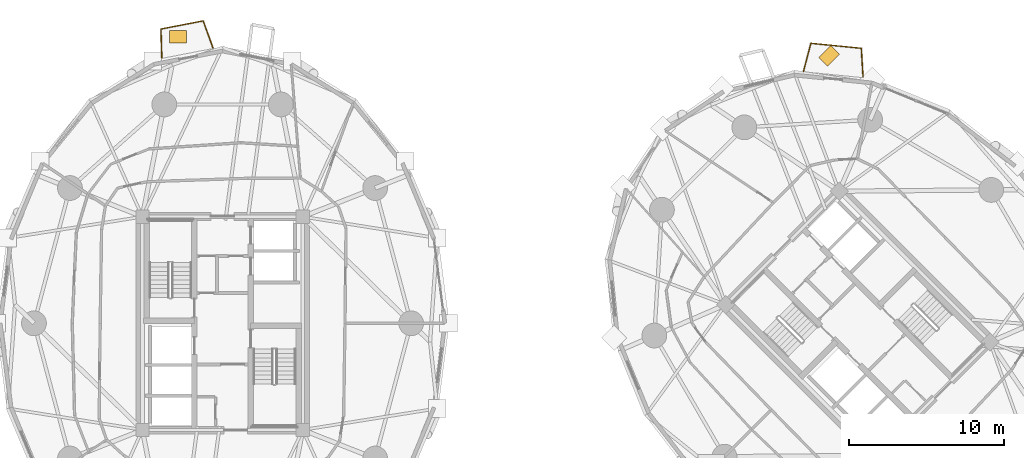
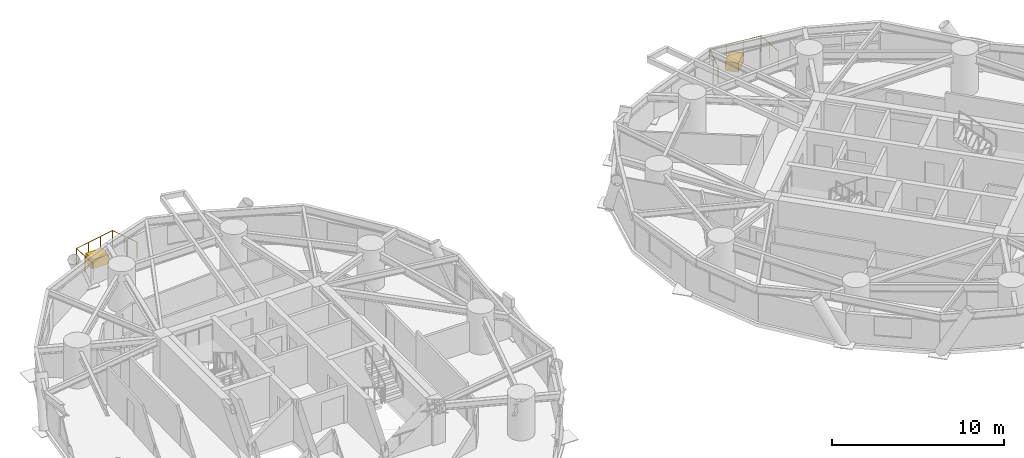
# One storey, part 18 of 18: 2 coverings, 2 railings.
"""IFC4 building model written with IfcOpenShell, lengths in metres."""

from ifc_helpers import new_model, si_unit, direction, frame, origin, origin_2d, place, context, subcontext, project, spatial, rectangle, circle, extrude, source, transform, mapped, material, layer, layer_set, type_object, element, save


model = new_model("IFC4")

# Units and contexts
model_context = context("Model", 3, precision=1e-05, world=origin(), true_north=direction((0.0, 1.0)))
body_context = subcontext(model_context, "Body", "Model", "MODEL_VIEW")
ifc_project = project(units=[si_unit("LENGTHUNIT", "METRE"), si_unit("AREAUNIT", "SQUARE_METRE"), si_unit("VOLUMEUNIT", "CUBIC_METRE"), si_unit("PLANEANGLEUNIT", "RADIAN"), si_unit("MASSUNIT", "GRAM", prefix="KILO")], contexts=[model_context])

# Site, building, storey
site_placement = place(None, origin())
site = spatial("IfcSite", under=ifc_project, at=site_placement, CompositionType="ELEMENT")
building_placement = place(site_placement, origin())
building = spatial("IfcBuilding", under=site, at=building_placement, Name="Cununo Teusaquillo Station Towers", CompositionType="ELEMENT")
storey_placement = place(building_placement, frame((0.0, 0.0, 22.0)))
storey = spatial("IfcBuildingStorey", under=building, at=storey_placement, Name="L05", CompositionType="ELEMENT", Elevation=22.0)

# Railings
ifc_material_1 = material(Name="Anodised dark bronze aluminium EN AW-6063-T6", Category="aluminium")
railing_type = type_object("IfcRailingType", Name="RL-EXT-GUARD", PredefinedType="GUARDRAIL", material=ifc_material_1)
railing_1_placement = place(storey_placement, frame((12.57958984375, 41.63671875, 0.0)))
element("IfcRailing", 1, at=railing_1_placement, inside=storey, type_object=railing_type, Name="L05 Tower A Balcony Guardrail C05", PredefinedType="GUARDRAIL", context=body_context, shape_type="SweptSolid", body=[
    extrude(circle(Radius=0.02392578125, at=origin_2d()), frame((0.0, 0.0, 1.1259765625), z_axis=(-0.030512102658, 0.999534397403, 0.0), x_axis=(-0.999534397403, -0.030512102658, 0.0)), (0.0, 0.0, 1.0), 1.8564453125),
    extrude(circle(Radius=0.02392578125, at=origin_2d()), frame((-0.056640625, 1.85546875, 1.1259765625), z_axis=(0.981830711399, 0.189758936954, 0.0), x_axis=(-0.189758936954, 0.981830711399, 0.0)), (0.0, 0.0, 1.0), 2.771240234375),
    extrude(circle(Radius=0.02392578125, at=origin_2d()), frame((2.664306640625, 2.38134765625, 1.1259765625), z_axis=(0.344138729678, -0.938918811578, 0.0), x_axis=(0.938918811578, 0.344138729678, 0.0)), (0.0, 0.0, 1.0), 1.8564453125),
    extrude(circle(Radius=0.02099609375, at=origin_2d()), origin(), (0.0, 0.0, 1.0), 1.101806640625),
    extrude(circle(Radius=0.02099609375, at=origin_2d()), frame((-0.0283203125, 0.927734375, 0.0)), (0.0, 0.0, 1.0), 1.101806640625),
    extrude(circle(Radius=0.02099609375, at=origin_2d()), frame((-0.056640625, 1.85546875, 0.0)), (0.0, 0.0, 1.0), 1.101806640625),
    extrude(circle(Radius=0.02099609375, at=origin_2d()), frame((0.850341796875, 2.03076171875, 0.0)), (0.0, 0.0, 1.0), 1.101806640625),
    extrude(circle(Radius=0.02099609375, at=origin_2d()), frame((1.75732421875, 2.2060546875, 0.0)), (0.0, 0.0, 1.0), 1.101806640625),
    extrude(circle(Radius=0.02099609375, at=origin_2d()), frame((2.664306640625, 2.38134765625, 0.0)), (0.0, 0.0, 1.0), 1.101806640625),
    extrude(circle(Radius=0.02099609375, at=origin_2d()), frame((2.98388671875, 1.509765625, 0.0)), (0.0, 0.0, 1.0), 1.101806640625),
    extrude(circle(Radius=0.02099609375, at=origin_2d()), frame((3.30322265625, 0.63818359375, 0.0)), (0.0, 0.0, 1.0), 1.101806640625),
])
railing_2_placement = place(storey_placement, frame((53.99267578125, 40.770263671875, 0.0)))
element("IfcRailing", 2, at=railing_2_placement, inside=storey, type_object=railing_type, Name="L05 Tower B Balcony Guardrail C02", PredefinedType="GUARDRAIL", context=body_context, shape_type="SweptSolid", body=[
    extrude(circle(Radius=0.02392578125, at=origin_2d()), frame((0.0, 0.0, 1.1259765625), z_axis=(0.256155180911, 0.966635672471, 0.0), x_axis=(-0.966635672471, 0.256155180911, 0.0)), (0.0, 0.0, 1.0), 1.865234375),
    extrude(circle(Radius=0.02392578125, at=origin_2d()), frame((0.477783203125, 1.802978515625, 1.1259765625), z_axis=(0.995129257147, -0.098578707486, 0.0), x_axis=(0.098578707486, 0.995129257147, 0.0)), (0.0, 0.0, 1.0), 3.2666015625),
    extrude(circle(Radius=0.02392578125, at=origin_2d()), frame((3.728515625, 1.48095703125, 1.1259765625), z_axis=(0.061384155085, -0.998114214659, 0.0), x_axis=(0.998114214659, 0.061384155085, 0.0)), (0.0, 0.0, 1.0), 1.865234375),
    extrude(circle(Radius=0.02099609375, at=origin_2d()), origin(), (0.0, 0.0, 1.0), 1.101806640625),
    extrude(circle(Radius=0.02099609375, at=origin_2d()), frame((0.23876953125, 0.9013671875, 0.0)), (0.0, 0.0, 1.0), 1.101806640625),
    extrude(circle(Radius=0.02099609375, at=origin_2d()), frame((0.477783203125, 1.802978515625, 0.0)), (0.0, 0.0, 1.0), 1.101806640625),
    extrude(circle(Radius=0.02099609375, at=origin_2d()), frame((1.561279296875, 1.695556640625, 0.0)), (0.0, 0.0, 1.0), 1.101806640625),
    extrude(circle(Radius=0.02099609375, at=origin_2d()), frame((2.64501953125, 1.58837890625, 0.0)), (0.0, 0.0, 1.0), 1.101806640625),
    extrude(circle(Radius=0.02099609375, at=origin_2d()), frame((3.728515625, 1.48095703125, 0.0)), (0.0, 0.0, 1.0), 1.101806640625),
    extrude(circle(Radius=0.02099609375, at=origin_2d()), frame((3.78564453125, 0.550048828125, 0.0)), (0.0, 0.0, 1.0), 1.101806640625),
    extrude(circle(Radius=0.02099609375, at=origin_2d()), frame((3.843017578125, -0.380859375, 0.0)), (0.0, 0.0, 1.0), 1.101806640625),
])

# Coverings
ifc_material_2 = material(Name="Architectural GRC planter shell and engineered root-zone substrate", Category="concrete")
ifc_layer = layer(ifc_material_2, 0.64990234375)
ifc_layer_set = layer_set([ifc_layer], Name="Architectural GRC planter shell and engineered root-zone substrate")
covering_type = type_object("IfcCoveringType", Name="COV-TREE-PLANTER", PredefinedType="CLADDING", material=ifc_layer_set)
shared_shape = source(origin(), body_context, "Body", "SweptSolid", [
    extrude(rectangle(XDim=1.10009765625, YDim=0.800048828125, at=origin_2d()), origin(), (0.0, 0.0, 1.0), 0.64990234375),
])
for number, where, z_axis, x_axis, name in (
    (3, (13.63623046875, 43.005126953125, 0.0), (0.0, 0.0, 1.0), (1.0, 0.0, 0.0), "L05 Tower A Balcony Tree PLANTER C05"),
    (4, (55.644287109375, 41.759521484375, 0.0), (0.0, 0.0, 1.0), (0.707106781187, 0.707106781187, 0.0), "L05 Tower B Balcony Tree PLANTER C02"),
):
    element("IfcCovering", number, at=place(storey_placement, frame(where, z_axis=z_axis, x_axis=x_axis)), inside=storey, type_object=covering_type, Name=name, PredefinedType="CLADDING", context=body_context, shape_type="MappedRepresentation", body=[
        mapped(shared_shape, transform((0.0, 0.0, 0.0), x_axis=(1.0, 0.0, 0.0), y_axis=(0.0, 1.0, 0.0), z_axis=(0.0, 0.0, 1.0), scale=1.0)),
    ])

save(model, "model.ifc")
